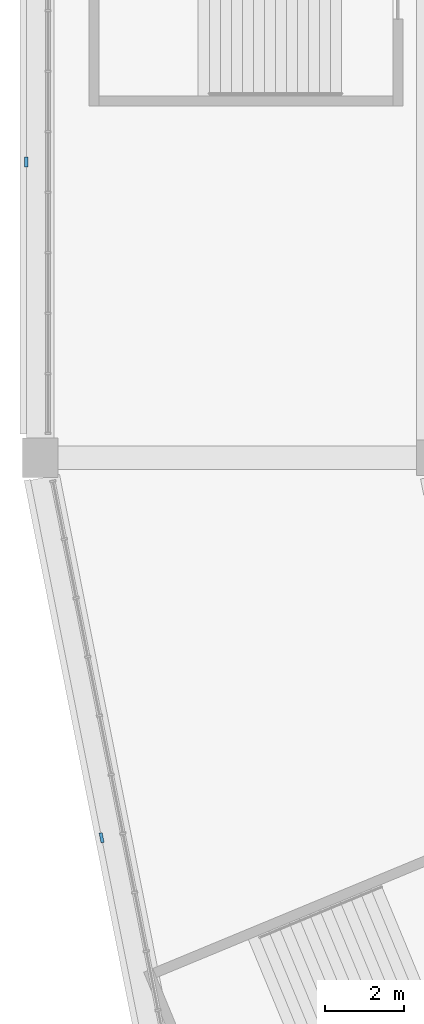
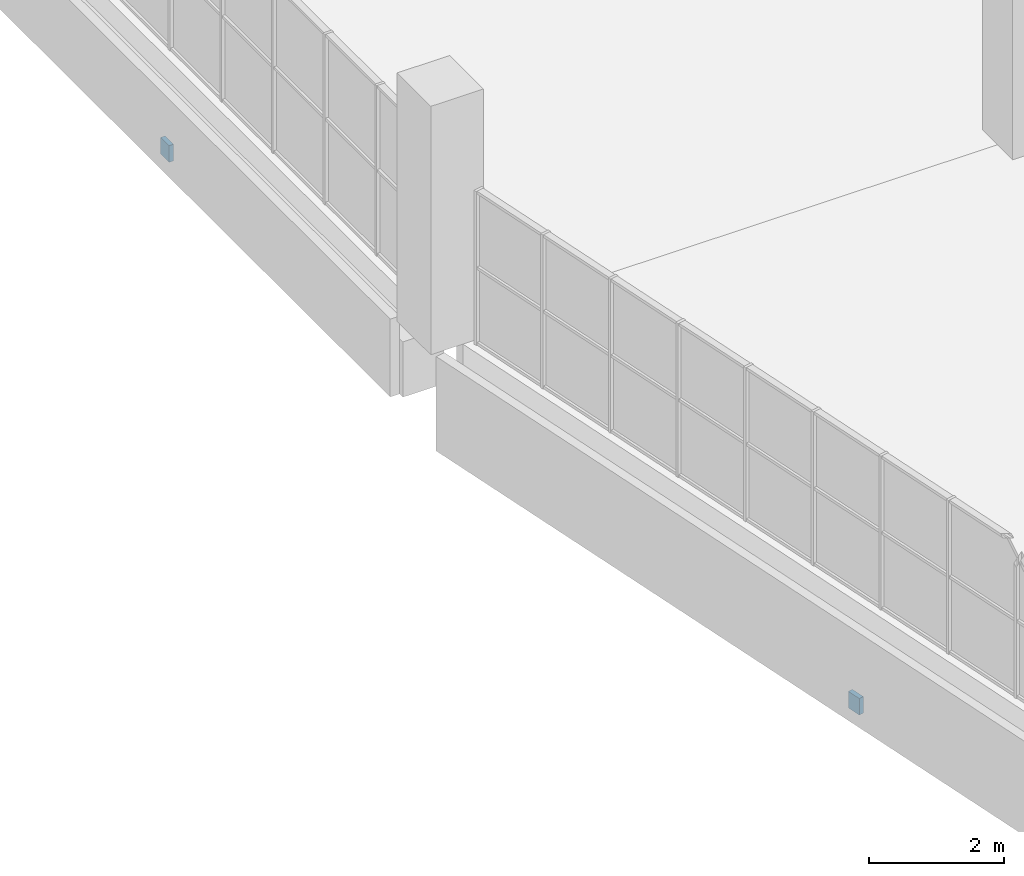
# One storey, part 90 of 199: 2 discrete accessories.
"""IFC4 building model written with IfcOpenShell, lengths in metres."""

from ifc_helpers import new_model, si_unit, direction, frame, origin, origin_2d, place, context, subcontext, project, spatial, rectangle, extrude, material, layer, layer_set, type_object, element, save


model = new_model("IFC4")

# Units and contexts
model_context = context("Model", 3, precision=1e-05, world=origin(), true_north=direction((0.0, 1.0)))
body_context = subcontext(model_context, "Body", "Model", "MODEL_VIEW")
ifc_project = project(units=[si_unit("LENGTHUNIT", "METRE"), si_unit("AREAUNIT", "SQUARE_METRE"), si_unit("VOLUMEUNIT", "CUBIC_METRE"), si_unit("PLANEANGLEUNIT", "RADIAN"), si_unit("MASSUNIT", "GRAM", prefix="KILO")], contexts=[model_context])

# Site, building, storey
site_placement = place(None, origin())
site = spatial("IfcSite", under=ifc_project, at=site_placement, CompositionType="ELEMENT")
building_placement = place(site_placement, origin())
building = spatial("IfcBuilding", under=site, at=building_placement, Name="Ogive Plaza Stadium", CompositionType="ELEMENT")
storey_placement = place(building_placement, frame((0.0, 0.0, 9.0)))
storey = spatial("IfcBuildingStorey", under=building, at=storey_placement, Name="L02", CompositionType="ELEMENT", Elevation=9.0)

# Discrete accessories
ifc_material = material(Name="Steel ASTM A572 Grade 50", Category="steel")
ifc_layer = layer(ifc_material, 0.080078125)
ifc_layer_set = layer_set([ifc_layer], Name="Steel ASTM A572 Grade 50")
discrete_accessory_type = type_object("IfcDiscreteAccessoryType", Name="Spandrel cladding bracket 250x300", PredefinedType="BRACKET", material=ifc_layer_set)
for number, where, z_axis, x_axis, name in (
    (1, (-82.440185546875, -62.135498046875, -1.60986328125), (0.0, 0.0, 1.0), (-0.195090321965, 0.980785280413, 0.0), "SPANDREL BRACKET B20 L02"),
    (2, (-84.35009765625, -45.0, -1.31005859375), (0.0, 0.0, 1.0), (0.0, 1.0, 0.0), "SPANDREL BRACKET B21 L02"),
):
    element("IfcDiscreteAccessory", number, at=place(storey_placement, frame(where, z_axis=z_axis, x_axis=x_axis)), inside=storey, type_object=discrete_accessory_type, Name=name, PredefinedType="BRACKET", context=body_context, shape_type="SweptSolid", body=[
        extrude(rectangle(XDim=0.25, YDim=0.080078125, at=origin_2d()), origin(), (0.0, 0.0, 1.0), 0.300048828125),
    ])

save(model, "model.ifc")
